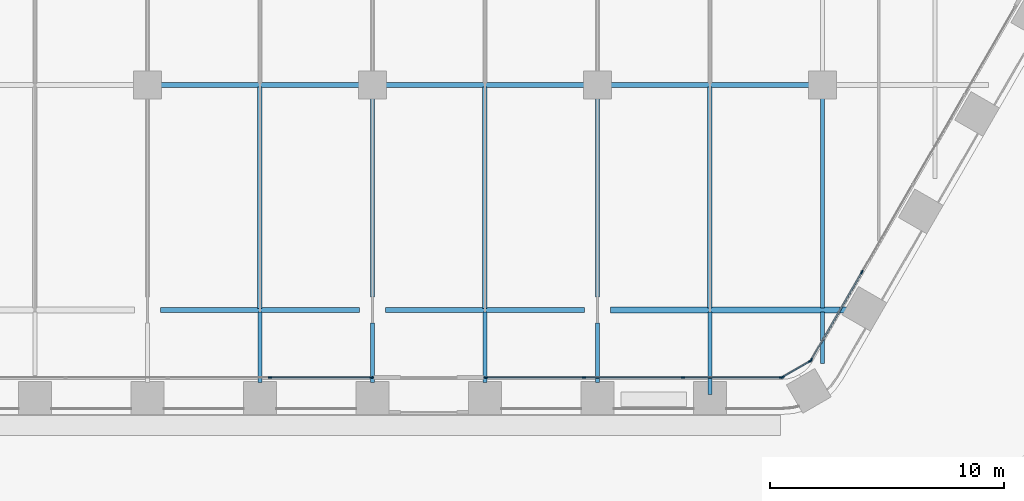
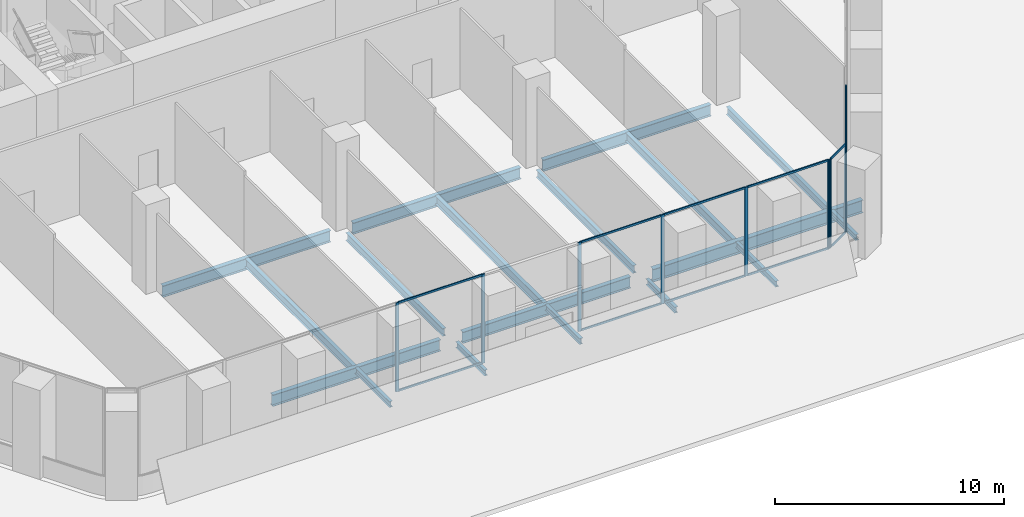
# One storey, part 4 of 29: 22 members, 18 beams, 4 elements without a shape of their own.
"""IFC4 building model written with IfcOpenShell, lengths in metres."""

from ifc_helpers import new_model, si_unit, direction, frame, origin, origin_2d, place, context, subcontext, project, spatial, rectangle, i_section, extrude, material, material_profile, profile_set, type_object, element, aggregate, save


model = new_model("IFC4")

# Units and contexts
model_context = context("Model", 3, precision=1e-05, world=origin(), true_north=direction((0.0, 1.0)))
body_context = subcontext(model_context, "Body", "Model", "MODEL_VIEW")
ifc_project = project(units=[si_unit("LENGTHUNIT", "METRE"), si_unit("AREAUNIT", "SQUARE_METRE"), si_unit("VOLUMEUNIT", "CUBIC_METRE"), si_unit("PLANEANGLEUNIT", "RADIAN"), si_unit("MASSUNIT", "GRAM", prefix="KILO")], contexts=[model_context])

# Site, building, storey
site_placement = place(None, origin())
site = spatial("IfcSite", under=ifc_project, at=site_placement, CompositionType="ELEMENT")
building_placement = place(site_placement, origin())
building = spatial("IfcBuilding", under=site, at=building_placement, Name="Kolab Exchange Tower", CompositionType="ELEMENT")
storey_placement = place(building_placement, frame((0.0, 0.0, 17.39990234375)))
storey = spatial("IfcBuildingStorey", under=building, at=storey_placement, Name="L03", CompositionType="ELEMENT", Elevation=17.39990234375)

# Beams
ifc_material_1 = material(Name="Steel S355", Category="steel")
ifc_material_profile_1 = material_profile(ifc_material_1, i_section(OverallWidth=0.1650390625, OverallDepth=0.31005859375, WebThickness=0.005859375, FlangeThickness=0.009765625, at=origin_2d()), Name="W310X39")
ifc_profile_set_1 = profile_set([ifc_material_profile_1], Name="Steel S355")
beam_type_1 = type_object("IfcBeamType", Name="FLOOR BEAM W310X39", PredefinedType="BEAM", material=ifc_profile_set_1)
beam_1_placement = place(storey_placement, frame((-4.800048828125, -31.8955078125, -0.40478515625), z_axis=(0.0, 1.0, 0.0), x_axis=(-1.0, 0.0, 0.0)))
element("IfcBeam", 1, at=beam_1_placement, inside=storey, type_object=beam_type_1, Name="beam/L03/fr/031", PredefinedType="BEAM", context=body_context, shape_type="SweptSolid", body=[
    extrude(i_section(OverallWidth=0.1650390625, OverallDepth=0.31005859375, WebThickness=0.005859375, FlangeThickness=0.009765625, at=origin_2d()), origin(), (0.0, 0.0, 1.0), 3.021484375),
])
beam_2_placement = place(storey_placement, frame((0.0, -31.8955078125, -0.40478515625), z_axis=(0.0, 1.0, 0.0), x_axis=(-1.0, 0.0, 0.0)))
element("IfcBeam", 2, at=beam_2_placement, inside=storey, type_object=beam_type_1, Name="beam/L03/fr/037", PredefinedType="BEAM", context=body_context, shape_type="SweptSolid", body=[
    extrude(i_section(OverallWidth=0.1650390625, OverallDepth=0.31005859375, WebThickness=0.005859375, FlangeThickness=0.009765625, at=origin_2d()), origin(), (0.0, 0.0, 1.0), 2.535400390625),
])
beam_3_placement = place(storey_placement, frame((4.800048828125, -31.8955078125, -0.40478515625), z_axis=(0.0, 1.0, 0.0), x_axis=(-1.0, 0.0, 0.0)))
element("IfcBeam", 3, at=beam_3_placement, inside=storey, type_object=beam_type_1, Name="beam/L03/fr/043", PredefinedType="BEAM", context=body_context, shape_type="SweptSolid", body=[
    extrude(i_section(OverallWidth=0.1650390625, OverallDepth=0.31005859375, WebThickness=0.005859375, FlangeThickness=0.009765625, at=origin_2d()), origin(), (0.0, 0.0, 1.0), 3.021484375),
])
beam_4_placement = place(storey_placement, frame((9.60009765625, -31.8955078125, -0.40478515625), z_axis=(0.0, 1.0, 0.0), x_axis=(-1.0, 0.0, 0.0)))
element("IfcBeam", 4, at=beam_4_placement, inside=storey, type_object=beam_type_1, Name="beam/L03/fr/049", PredefinedType="BEAM", context=body_context, shape_type="SweptSolid", body=[
    extrude(i_section(OverallWidth=0.1650390625, OverallDepth=0.31005859375, WebThickness=0.005859375, FlangeThickness=0.009765625, at=origin_2d()), origin(), (0.0, 0.0, 1.0), 2.535400390625),
])
beam_5_placement = place(storey_placement, frame((14.39990234375, -32.394775390625, -0.40478515625), z_axis=(0.0, 1.0, 0.0), x_axis=(-1.0, 0.0, 0.0)))
element("IfcBeam", 5, at=beam_5_placement, inside=storey, type_object=beam_type_1, Name="beam/L03/fr/055", PredefinedType="BEAM", context=body_context, shape_type="SweptSolid", body=[
    extrude(i_section(OverallWidth=0.1650390625, OverallDepth=0.31005859375, WebThickness=0.005859375, FlangeThickness=0.009765625, at=origin_2d()), origin(), (0.0, 0.0, 1.0), 3.5078125),
])
beam_6_placement = place(storey_placement, frame((19.199951171875, -31.07421875, -0.40478515625), z_axis=(0.0, 1.0, 0.0), x_axis=(-1.0, 0.0, 0.0)))
element("IfcBeam", 6, at=beam_6_placement, inside=storey, type_object=beam_type_1, Name="beam/L03/fr/061", PredefinedType="BEAM", context=body_context, shape_type="SweptSolid", body=[
    extrude(i_section(OverallWidth=0.1650390625, OverallDepth=0.31005859375, WebThickness=0.005859375, FlangeThickness=0.009765625, at=origin_2d()), origin(), (0.0, 0.0, 1.0), 2.187255859375),
])
ifc_material_profile_2 = material_profile(ifc_material_1, i_section(OverallWidth=0.177978515625, OverallDepth=0.406982421875, WebThickness=0.0078125, FlangeThickness=0.0126953125, at=origin_2d()), Name="W410X60")
ifc_profile_set_2 = profile_set([ifc_material_profile_2], Name="Steel S355")
beam_type_2 = type_object("IfcBeamType", Name="FLOOR BEAM W410X60", PredefinedType="BEAM", material=ifc_profile_set_2)
for number, where, z_axis, x_axis, name in (
    (7, (0.0, -28.239990234375, -0.453369140625), (0.0, 1.0, 0.0), (-1.0, 0.0, 0.0), "beam/L03/fr/038"),
    (8, (9.60009765625, -28.239990234375, -0.453369140625), (0.0, 1.0, 0.0), (-1.0, 0.0, 0.0), "beam/L03/fr/050"),
):
    element("IfcBeam", number, at=place(storey_placement, frame(where, z_axis=z_axis, x_axis=x_axis)), inside=storey, type_object=beam_type_2, Name=name, PredefinedType="BEAM", context=body_context, shape_type="SweptSolid", body=[
        extrude(i_section(OverallWidth=0.177978515625, OverallDepth=0.406982421875, WebThickness=0.0078125, FlangeThickness=0.0126953125, at=origin_2d()), origin(), (0.0, 0.0, 1.0), 8.47998046875),
    ])
beam_7_placement = place(storey_placement, frame((19.199951171875, -28.712890625, -0.453369140625), z_axis=(0.0, 1.0, 0.0), x_axis=(-1.0, 0.0, 0.0)))
element("IfcBeam", 9, at=beam_7_placement, inside=storey, type_object=beam_type_2, Name="beam/L03/fr/062", PredefinedType="BEAM", context=body_context, shape_type="SweptSolid", body=[
    extrude(i_section(OverallWidth=0.177978515625, OverallDepth=0.406982421875, WebThickness=0.0078125, FlangeThickness=0.0126953125, at=origin_2d()), origin(), (0.0, 0.0, 1.0), 8.952880859375),
])
ifc_material_profile_3 = material_profile(ifc_material_1, i_section(OverallWidth=0.18994140625, OverallDepth=0.45703125, WebThickness=0.009033203125, FlangeThickness=0.014404296875, at=origin_2d()), Name="W460X74")
ifc_profile_set_3 = profile_set([ifc_material_profile_3], Name="Steel S355")
beam_type_3 = type_object("IfcBeamType", Name="FLOOR BEAM W460X74", PredefinedType="BEAM", material=ifc_profile_set_3)
for number, where, z_axis, x_axis, name in (
    (10, (-4.800048828125, -28.72607421875, -0.478515625), (0.0, 1.0, 0.0), (-1.0, 0.0, 0.0), "beam/L03/fr/032"),
    (11, (4.800048828125, -28.72607421875, -0.478515625), (0.0, 1.0, 0.0), (-1.0, 0.0, 0.0), "beam/L03/fr/044"),
):
    element("IfcBeam", number, at=place(storey_placement, frame(where, z_axis=z_axis, x_axis=x_axis)), inside=storey, type_object=beam_type_3, Name=name, PredefinedType="BEAM", context=body_context, shape_type="SweptSolid", body=[
        extrude(i_section(OverallWidth=0.18994140625, OverallDepth=0.45703125, WebThickness=0.009033203125, FlangeThickness=0.014404296875, at=origin_2d()), origin(), (0.0, 0.0, 1.0), 9.4521484375),
    ])
beam_8_placement = place(storey_placement, frame((14.39990234375, -28.712890625, -0.478515625), z_axis=(0.0, 1.0, 0.0), x_axis=(-1.0, 0.0, 0.0)))
element("IfcBeam", 12, at=beam_8_placement, inside=storey, type_object=beam_type_3, Name="beam/L03/fr/056", PredefinedType="BEAM", context=body_context, shape_type="SweptSolid", body=[
    extrude(i_section(OverallWidth=0.18994140625, OverallDepth=0.45703125, WebThickness=0.009033203125, FlangeThickness=0.014404296875, at=origin_2d()), origin(), (0.0, 0.0, 1.0), 9.43896484375),
])
ifc_material_profile_4 = material_profile(ifc_material_1, i_section(OverallWidth=0.22802734375, OverallDepth=0.60791015625, WebThickness=0.01123046875, FlangeThickness=0.017333984375, at=origin_2d()), Name="W610X113")
ifc_profile_set_4 = profile_set([ifc_material_profile_4], Name="Steel S355")
beam_type_4 = type_object("IfcBeamType", Name="FLOOR GIRDER W610X113", PredefinedType="BEAM", material=ifc_profile_set_4)
for number, where, z_axis, x_axis, name in (
    (13, (-9.0400390625, -28.800048828125, -0.553955078125), (1.0, 0.0, 0.0), (0.0, 1.0, 0.0), "beam/L03/gd/014"),
    (14, (-9.0400390625, -19.199951171875, -0.553955078125), (1.0, 0.0, 0.0), (0.0, 1.0, 0.0), "beam/L03/gd/015"),
    (15, (0.56005859375, -28.800048828125, -0.553955078125), (1.0, 0.0, 0.0), (0.0, 1.0, 0.0), "beam/L03/gd/018"),
    (16, (0.56005859375, -19.199951171875, -0.553955078125), (1.0, 0.0, 0.0), (0.0, 1.0, 0.0), "beam/L03/gd/019"),
    (17, (10.159912109375, -19.199951171875, -0.553955078125), (1.0, 0.0, 0.0), (0.0, 1.0, 0.0), "beam/L03/gd/023"),
):
    element("IfcBeam", number, at=place(storey_placement, frame(where, z_axis=z_axis, x_axis=x_axis)), inside=storey, type_object=beam_type_4, Name=name, PredefinedType="BEAM", context=body_context, shape_type="SweptSolid", body=[
        extrude(i_section(OverallWidth=0.22802734375, OverallDepth=0.60791015625, WebThickness=0.01123046875, FlangeThickness=0.017333984375, at=origin_2d()), origin(), (0.0, 0.0, 1.0), 8.47998046875),
    ])
ifc_material_profile_5 = material_profile(ifc_material_1, i_section(OverallWidth=0.25390625, OverallDepth=0.68408203125, WebThickness=0.012451171875, FlangeThickness=0.018798828125, at=origin_2d()), Name="W690X140")
ifc_profile_set_5 = profile_set([ifc_material_profile_5], Name="Steel S355")
beam_type_5 = type_object("IfcBeamType", Name="FLOOR GIRDER W690X140", PredefinedType="BEAM", material=ifc_profile_set_5)
beam_9_placement = place(storey_placement, frame((10.159912109375, -28.800048828125, -0.591796875), z_axis=(1.0, 0.0, 0.0), x_axis=(0.0, 1.0, 0.0)))
element("IfcBeam", 18, at=beam_9_placement, inside=storey, type_object=beam_type_5, Name="beam/L03/gd/022", PredefinedType="BEAM", context=body_context, shape_type="SweptSolid", body=[
    extrude(i_section(OverallWidth=0.25390625, OverallDepth=0.68408203125, WebThickness=0.012451171875, FlangeThickness=0.018798828125, at=origin_2d()), origin(), (0.0, 0.0, 1.0), 10.59716796875),
])

# Curtain wall, members
ifc_material_2 = material(Name="Aluminium EN AW-6063 T6", Category="aluminium")
curtain_wall_type = type_object("IfcCurtainWallType", Name="UNITISED LOW ZONE CURTAIN WALL", PredefinedType="NOTDEFINED", material=ifc_material_2)
curtain_wall_1_placement = place(storey_placement, origin())
curtain_wall_1 = element("IfcCurtainWall", 19, at=curtain_wall_1_placement, inside=storey, type_object=curtain_wall_type, Name="cw/L03/F3-2", PredefinedType="NOTDEFINED")
ifc_material_profile_6 = material_profile(ifc_material_2, rectangle(XDim=0.06005859375, YDim=0.159912109375, at=origin_2d()), Name="RECT 60X160")
ifc_profile_set_6 = profile_set([ifc_material_profile_6], Name="Aluminium EN AW-6063 T6")
member_type_1 = type_object("IfcMemberType", Name="UNITISED LOW ZONE MULLION 60 X 160", PredefinedType="MULLION", material=ifc_profile_set_6)
member_1_placement = place(storey_placement, frame((20.881103515625, -27.183349609375, 0.0), z_axis=(0.0, 0.0, 1.0), x_axis=(0.866025397318, -0.5000000112, 0.0)))
member_1 = element("IfcMember", 20, at=member_1_placement, type_object=member_type_1, Name="CW1 mullion 4", PredefinedType="MULLION", context=body_context, shape_type="SweptSolid", body=[
    extrude(rectangle(XDim=0.06005859375, YDim=0.159912109375, at=origin_2d()), origin(), (0.0, 0.0, 1.0), 4.75),
])
member_2_placement = place(storey_placement, frame((18.712646484375, -30.939453125, 0.0), z_axis=(0.0, 0.0, 1.0), x_axis=(0.866025397318, -0.5000000112, 0.0)))
member_2 = element("IfcMember", 21, at=member_2_placement, type_object=member_type_1, Name="CW1 mullion 5", PredefinedType="MULLION", context=body_context, shape_type="SweptSolid", body=[
    extrude(rectangle(XDim=0.06005859375, YDim=0.159912109375, at=origin_2d()), origin(), (0.0, 0.0, 1.0), 4.75),
])

curtain_wall_2_placement = place(storey_placement, origin())
curtain_wall_2 = element("IfcCurtainWall", 22, at=curtain_wall_2_placement, inside=storey, type_object=curtain_wall_type, Name="cw/L03/F4-1", PredefinedType="NOTDEFINED")
member_3_placement = place(storey_placement, frame((17.43798828125, -31.67529296875, 0.0), z_axis=(0.0, 0.0, 1.0), x_axis=(0.0, -1.0, 0.0)))
member_3 = element("IfcMember", 23, at=member_3_placement, type_object=member_type_1, Name="CW1 mullion 1", PredefinedType="MULLION", context=body_context, shape_type="SweptSolid", body=[
    extrude(rectangle(XDim=0.06005859375, YDim=0.159912109375, at=origin_2d()), origin(), (0.0, 0.0, 1.0), 4.75),
])
member_4_placement = place(storey_placement, frame((13.245361328125, -31.67529296875, 0.0), z_axis=(0.0, 0.0, 1.0), x_axis=(0.0, -1.0, 0.0)))
member_4 = element("IfcMember", 24, at=member_4_placement, type_object=member_type_1, Name="CW1 mullion 2", PredefinedType="MULLION", context=body_context, shape_type="SweptSolid", body=[
    extrude(rectangle(XDim=0.06005859375, YDim=0.159912109375, at=origin_2d()), origin(), (0.0, 0.0, 1.0), 4.75),
])
member_5_placement = place(storey_placement, frame((9.022705078125, -31.67529296875, 0.0), z_axis=(0.0, 0.0, 1.0), x_axis=(0.0, -1.0, 0.0)))
member_5 = element("IfcMember", 25, at=member_5_placement, type_object=member_type_1, Name="CW1 mullion 3", PredefinedType="MULLION", context=body_context, shape_type="SweptSolid", body=[
    extrude(rectangle(XDim=0.06005859375, YDim=0.159912109375, at=origin_2d()), origin(), (0.0, 0.0, 1.0), 4.75),
])
member_6_placement = place(storey_placement, frame((4.830078125, -31.67529296875, 0.0), z_axis=(0.0, 0.0, 1.0), x_axis=(0.0, -1.0, 0.0)))
member_6 = element("IfcMember", 26, at=member_6_placement, type_object=member_type_1, Name="CW1 mullion 4", PredefinedType="MULLION", context=body_context, shape_type="SweptSolid", body=[
    extrude(rectangle(XDim=0.06005859375, YDim=0.159912109375, at=origin_2d()), origin(), (0.0, 0.0, 1.0), 4.75),
])

curtain_wall_3_placement = place(storey_placement, origin())
curtain_wall_3 = element("IfcCurtainWall", 27, at=curtain_wall_3_placement, inside=storey, type_object=curtain_wall_type, Name="cw/L03/F4-2", PredefinedType="NOTDEFINED")
member_7_placement = place(storey_placement, frame((-0.030029296875, -31.67529296875, 0.0), z_axis=(0.0, 0.0, 1.0), x_axis=(0.0, -1.0, 0.0)))
member_7 = element("IfcMember", 28, at=member_7_placement, type_object=member_type_1, Name="CW1 mullion 1", PredefinedType="MULLION", context=body_context, shape_type="SweptSolid", body=[
    extrude(rectangle(XDim=0.06005859375, YDim=0.159912109375, at=origin_2d()), origin(), (0.0, 0.0, 1.0), 4.75),
])
member_8_placement = place(storey_placement, frame((-4.366943359375, -31.67529296875, 0.0), z_axis=(0.0, 0.0, 1.0), x_axis=(0.0, -1.0, 0.0)))
member_8 = element("IfcMember", 29, at=member_8_placement, type_object=member_type_1, Name="CW1 mullion 2", PredefinedType="MULLION", context=body_context, shape_type="SweptSolid", body=[
    extrude(rectangle(XDim=0.06005859375, YDim=0.159912109375, at=origin_2d()), origin(), (0.0, 0.0, 1.0), 4.75),
])

curtain_wall_4_placement = place(storey_placement, origin())
curtain_wall_4 = element("IfcCurtainWall", 30, at=curtain_wall_4_placement, inside=storey, type_object=curtain_wall_type, Name="cw/L03/F3F4-corner", PredefinedType="NOTDEFINED")
member_9_placement = place(storey_placement, frame((18.671630859375, -30.98046875, 0.0), z_axis=(0.0, 0.0, 1.0), x_axis=(0.50000002237, -0.866025390869, 0.0)))
member_9 = element("IfcMember", 31, at=member_9_placement, type_object=member_type_1, Name="CW1 mullion 1", PredefinedType="MULLION", context=body_context, shape_type="SweptSolid", body=[
    extrude(rectangle(XDim=0.06005859375, YDim=0.159912109375, at=origin_2d()), origin(), (0.0, 0.0, 1.0), 4.75),
])
member_10_placement = place(storey_placement, frame((17.493896484375, -31.660400390625, 0.0), z_axis=(0.0, 0.0, 1.0), x_axis=(0.50000002237, -0.866025390869, 0.0)))
member_10 = element("IfcMember", 32, at=member_10_placement, type_object=member_type_1, Name="CW1 mullion 2", PredefinedType="MULLION", context=body_context, shape_type="SweptSolid", body=[
    extrude(rectangle(XDim=0.06005859375, YDim=0.159912109375, at=origin_2d()), origin(), (0.0, 0.0, 1.0), 4.75),
])

# Member
ifc_material_profile_7 = material_profile(ifc_material_2, rectangle(XDim=0.06005859375, YDim=0.10009765625, at=origin_2d()), Name="RECT 60X100")
ifc_profile_set_7 = profile_set([ifc_material_profile_7], Name="Aluminium EN AW-6063 T6")
member_type_2 = type_object("IfcMemberType", Name="UNITISED LOW ZONE TRANSOM 60 X 100", PredefinedType="USERDEFINED", material=ifc_profile_set_7)
member_11_placement = place(storey_placement, frame((20.8662109375, -27.20947265625, 0.030029296875), z_axis=(-0.500000816281, -0.866024932504, 0.0), x_axis=(0.866024932504, -0.500000816281, 0.0)))
member_11 = element("IfcMember", 33, at=member_11_placement, type_object=member_type_2, Name="CW1 transom 4.1", ObjectType="TRANSOM", PredefinedType="USERDEFINED", context=body_context, shape_type="SweptSolid", body=[
    extrude(rectangle(XDim=0.06005859375, YDim=0.10009765625, at=origin_2d()), origin(), (0.0, 0.0, 1.0), 4.27685546875),
])

member_12_placement = place(storey_placement, frame((20.8662109375, -27.20947265625, 4.72021484375), z_axis=(-0.500000816281, -0.866024932504, 0.0), x_axis=(0.866024932504, -0.500000816281, 0.0)))
member_12 = element("IfcMember", 34, at=member_12_placement, type_object=member_type_2, Name="CW1 transom 4.2", ObjectType="TRANSOM", PredefinedType="USERDEFINED", context=body_context, shape_type="SweptSolid", body=[
    extrude(rectangle(XDim=0.06005859375, YDim=0.10009765625, at=origin_2d()), origin(), (0.0, 0.0, 1.0), 4.27685546875),
])

aggregate(curtain_wall_1, [member_1, member_2, member_11, member_12])

member_13_placement = place(storey_placement, frame((17.407958984375, -31.67529296875, 0.030029296875), z_axis=(-1.0, 0.0, 0.0), x_axis=(0.0, -1.0, 0.0)))
member_13 = element("IfcMember", 35, at=member_13_placement, type_object=member_type_2, Name="CW1 transom 1.1", ObjectType="TRANSOM", PredefinedType="USERDEFINED", context=body_context, shape_type="SweptSolid", body=[
    extrude(rectangle(XDim=0.06005859375, YDim=0.10009765625, at=origin_2d()), origin(), (0.0, 0.0, 1.0), 4.132568359375),
])

member_14_placement = place(storey_placement, frame((17.407958984375, -31.67529296875, 4.72021484375), z_axis=(-1.0, 0.0, 0.0), x_axis=(0.0, -1.0, 0.0)))
member_14 = element("IfcMember", 36, at=member_14_placement, type_object=member_type_2, Name="CW1 transom 1.2", ObjectType="TRANSOM", PredefinedType="USERDEFINED", context=body_context, shape_type="SweptSolid", body=[
    extrude(rectangle(XDim=0.06005859375, YDim=0.10009765625, at=origin_2d()), origin(), (0.0, 0.0, 1.0), 4.132568359375),
])

member_15_placement = place(storey_placement, frame((13.21533203125, -31.67529296875, 0.030029296875), z_axis=(-1.0, 0.0, 0.0), x_axis=(0.0, -1.0, 0.0)))
member_15 = element("IfcMember", 37, at=member_15_placement, type_object=member_type_2, Name="CW1 transom 2.1", ObjectType="TRANSOM", PredefinedType="USERDEFINED", context=body_context, shape_type="SweptSolid", body=[
    extrude(rectangle(XDim=0.06005859375, YDim=0.10009765625, at=origin_2d()), origin(), (0.0, 0.0, 1.0), 4.16259765625),
])

member_16_placement = place(storey_placement, frame((13.21533203125, -31.67529296875, 4.72021484375), z_axis=(-1.0, 0.0, 0.0), x_axis=(0.0, -1.0, 0.0)))
member_16 = element("IfcMember", 38, at=member_16_placement, type_object=member_type_2, Name="CW1 transom 2.2", ObjectType="TRANSOM", PredefinedType="USERDEFINED", context=body_context, shape_type="SweptSolid", body=[
    extrude(rectangle(XDim=0.06005859375, YDim=0.10009765625, at=origin_2d()), origin(), (0.0, 0.0, 1.0), 4.16259765625),
])

member_17_placement = place(storey_placement, frame((8.99267578125, -31.67529296875, 0.030029296875), z_axis=(-1.0, 0.0, 0.0), x_axis=(0.0, -1.0, 0.0)))
member_17 = element("IfcMember", 39, at=member_17_placement, type_object=member_type_2, Name="CW1 transom 3.1", ObjectType="TRANSOM", PredefinedType="USERDEFINED", context=body_context, shape_type="SweptSolid", body=[
    extrude(rectangle(XDim=0.06005859375, YDim=0.10009765625, at=origin_2d()), origin(), (0.0, 0.0, 1.0), 4.132568359375),
])

member_18_placement = place(storey_placement, frame((8.99267578125, -31.67529296875, 4.72021484375), z_axis=(-1.0, 0.0, 0.0), x_axis=(0.0, -1.0, 0.0)))
member_18 = element("IfcMember", 40, at=member_18_placement, type_object=member_type_2, Name="CW1 transom 3.2", ObjectType="TRANSOM", PredefinedType="USERDEFINED", context=body_context, shape_type="SweptSolid", body=[
    extrude(rectangle(XDim=0.06005859375, YDim=0.10009765625, at=origin_2d()), origin(), (0.0, 0.0, 1.0), 4.132568359375),
])

aggregate(curtain_wall_2, [member_3, member_4, member_5, member_6, member_13, member_14, member_15, member_16, member_17, member_18])

member_19_placement = place(storey_placement, frame((-0.06005859375, -31.67529296875, 0.030029296875), z_axis=(-1.0, 0.0, 0.0), x_axis=(0.0, -1.0, 0.0)))
member_19 = element("IfcMember", 41, at=member_19_placement, type_object=member_type_2, Name="CW1 transom 1.1", ObjectType="TRANSOM", PredefinedType="USERDEFINED", context=body_context, shape_type="SweptSolid", body=[
    extrude(rectangle(XDim=0.06005859375, YDim=0.10009765625, at=origin_2d()), origin(), (0.0, 0.0, 1.0), 4.27685546875),
])

member_20_placement = place(storey_placement, frame((-0.06005859375, -31.67529296875, 4.72021484375), z_axis=(-1.0, 0.0, 0.0), x_axis=(0.0, -1.0, 0.0)))
member_20 = element("IfcMember", 42, at=member_20_placement, type_object=member_type_2, Name="CW1 transom 1.2", ObjectType="TRANSOM", PredefinedType="USERDEFINED", context=body_context, shape_type="SweptSolid", body=[
    extrude(rectangle(XDim=0.06005859375, YDim=0.10009765625, at=origin_2d()), origin(), (0.0, 0.0, 1.0), 4.27685546875),
])

aggregate(curtain_wall_3, [member_7, member_8, member_19, member_20])

member_21_placement = place(storey_placement, frame((18.645751953125, -30.995361328125, 0.030029296875), z_axis=(-0.86603858612, -0.49997716683, 0.0), x_axis=(0.49997716683, -0.86603858612, 0.0)))
member_21 = element("IfcMember", 43, at=member_21_placement, type_object=member_type_2, Name="CW1 transom 1.1", ObjectType="TRANSOM", PredefinedType="USERDEFINED", context=body_context, shape_type="SweptSolid", body=[
    extrude(rectangle(XDim=0.06005859375, YDim=0.10009765625, at=origin_2d()), origin(), (0.0, 0.0, 1.0), 1.2998046875),
])

member_22_placement = place(storey_placement, frame((18.645751953125, -30.995361328125, 4.72021484375), z_axis=(-0.86603858612, -0.49997716683, 0.0), x_axis=(0.49997716683, -0.86603858612, 0.0)))
member_22 = element("IfcMember", 44, at=member_22_placement, type_object=member_type_2, Name="CW1 transom 1.2", ObjectType="TRANSOM", PredefinedType="USERDEFINED", context=body_context, shape_type="SweptSolid", body=[
    extrude(rectangle(XDim=0.06005859375, YDim=0.10009765625, at=origin_2d()), origin(), (0.0, 0.0, 1.0), 1.2998046875),
])

aggregate(curtain_wall_4, [member_9, member_10, member_21, member_22])

save(model, "model.ifc")
